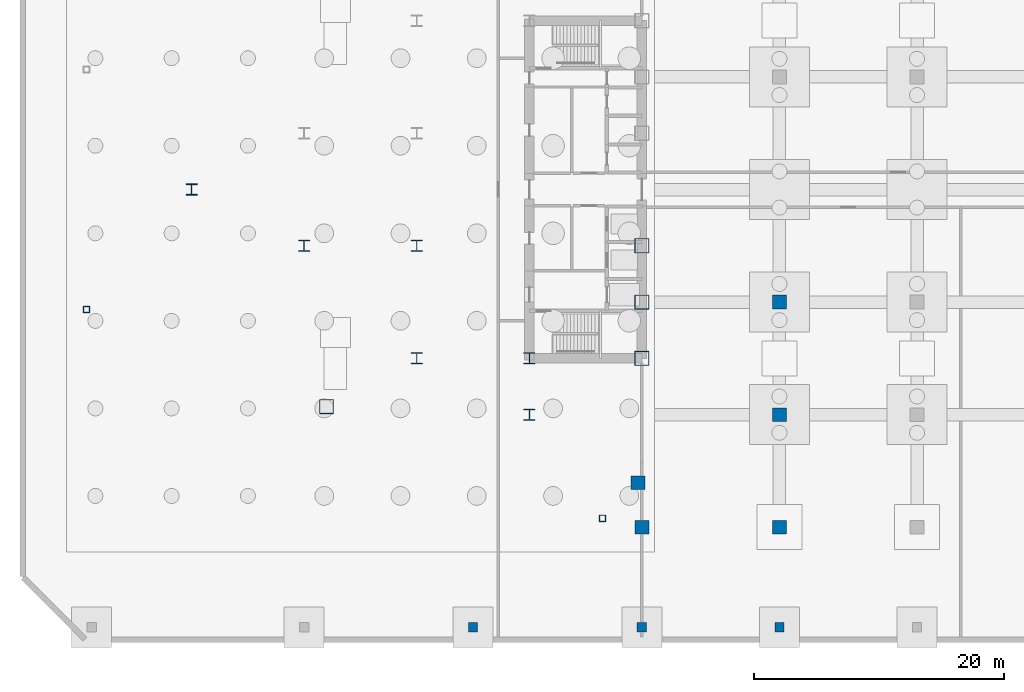
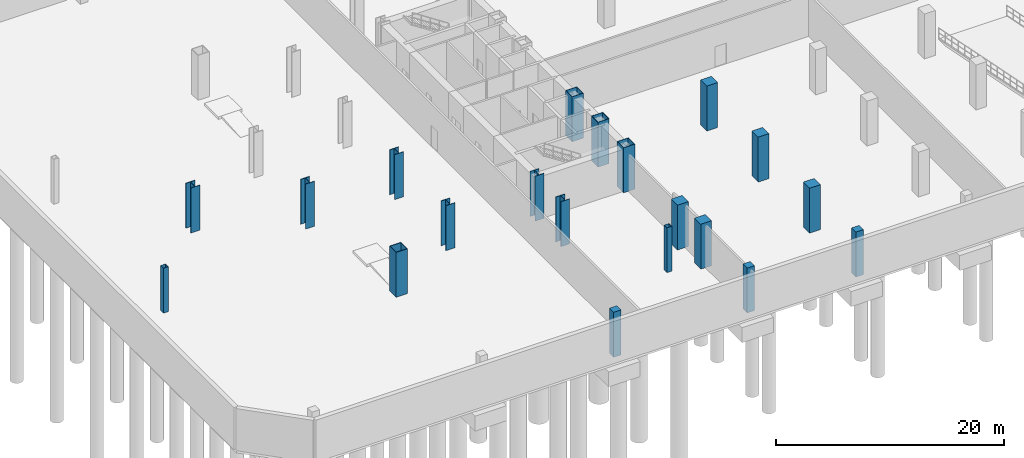
# One storey, part 3 of 18: 20 columns.
"""IFC4 building model written with IfcOpenShell, lengths in metres."""

from ifc_helpers import new_model, si_unit, direction, frame, origin, origin_2d, place, context, subcontext, project, spatial, rectangle, hollow_rectangle, i_section, extrude, source, transform, mapped, material, material_profile, profile_set, type_object, type_shapes, element, save


model = new_model("IFC4")

# Units and contexts
model_context = context("Model", 3, precision=1e-05, world=origin(), true_north=direction((0.0, 1.0)))
body_context = subcontext(model_context, "Body", "Model", "MODEL_VIEW")
ifc_project = project(units=[si_unit("LENGTHUNIT", "METRE"), si_unit("AREAUNIT", "SQUARE_METRE"), si_unit("VOLUMEUNIT", "CUBIC_METRE"), si_unit("PLANEANGLEUNIT", "RADIAN"), si_unit("MASSUNIT", "GRAM", prefix="KILO")], contexts=[model_context])

# Site, building, storey
site_placement = place(None, origin())
site = spatial("IfcSite", under=ifc_project, at=site_placement, CompositionType="ELEMENT")
building_placement = place(site_placement, origin())
building = spatial("IfcBuilding", under=site, at=building_placement, Name="Seokmaru Belvedere", CompositionType="ELEMENT")
storey_placement = place(building_placement, frame((0.0, 0.0, -9.60009765625)))
storey = spatial("IfcBuildingStorey", under=building, at=storey_placement, Name="B2", CompositionType="ELEMENT", Elevation=-9.60009765625)

# Columns
ifc_material_1 = material(Name="Steel HSA650 (650 MPa)", Category="steel")
ifc_material_profile_1 = material_profile(ifc_material_1, hollow_rectangle(XDim=1.14990234375, YDim=1.14990234375, WallThickness=0.048095703125, at=origin_2d()), Name="BOX-1150x1150x48")
ifc_profile_set_1 = profile_set([ifc_material_profile_1], Name="Steel HSA650 (650 MPa)")
column_type_1 = type_object("IfcColumnType", Name="Portal Spine Column BOX-1150", PredefinedType="COLUMN", material=ifc_profile_set_1)
shared_shape_1 = source(origin(), body_context, "Body", "SweptSolid", [
    extrude(hollow_rectangle(XDim=1.14990234375, YDim=1.14990234375, WallThickness=0.048095703125, at=origin_2d()), origin(), (0.0, 0.0, 1.0), 4.800048828125),
])
type_shapes(column_type_1, [shared_shape_1])
for number, where, z_axis, x_axis, name in (
    (1, (-27.5, -13.5, 0.0), (0.0, 0.0, 1.0), (1.0, 0.0, 0.0), "B2 Column WS1"),
    (2, (-27.5, -9.0, 0.0), (0.0, 0.0, 1.0), (1.0, 0.0, 0.0), "B2 Column WS2"),
    (3, (-27.5, -4.5, 0.0), (0.0, 0.0, 1.0), (1.0, 0.0, 0.0), "B2 Column WS3"),
    (4, (-52.715576171875, -17.360595703125, 0.0), (0.0, 0.0, 1.0), (1.0, 0.0, 0.0), "B2 Column WFLK_S2"),
):
    element("IfcColumn", number, at=place(storey_placement, frame(where, z_axis=z_axis, x_axis=x_axis)), inside=storey, type_object=column_type_1, Name=name, PredefinedType="COLUMN", context=body_context, shape_type="MappedRepresentation", body=[
        mapped(shared_shape_1, transform((0.0, 0.0, 0.0), scale=1.0)),
    ])
ifc_material_2 = material(Name="Concrete C60 (60 MPa)", Category="concrete")
ifc_material_profile_2 = material_profile(ifc_material_2, rectangle(XDim=1.10009765625, YDim=1.10009765625, at=origin_2d()), Name="RC-1100x1100")
ifc_profile_set_2 = profile_set([ifc_material_profile_2], Name="Concrete C60 (60 MPa)")
column_type_2 = type_object("IfcColumnType", Name="Basement Substructure Column RC-1100", PredefinedType="COLUMN", material=ifc_profile_set_2)
shared_shape_2 = source(origin(), body_context, "Body", "SweptSolid", [
    extrude(rectangle(XDim=1.10009765625, YDim=1.10009765625, at=origin_2d()), origin(), (0.0, 0.0, 1.0), 4.800048828125),
])
type_shapes(column_type_2, [shared_shape_2])
for number, where, z_axis, x_axis, name in (
    (5, (-27.5, -27.0, 0.0), (0.0, 0.0, 1.0), (1.0, 0.0, 0.0), "B2 Column WPS1"),
    (6, (-27.800048828125, -23.451416015625, 0.0), (0.0, 0.0, 1.0), (1.0, 0.0, 0.0), "B2 Column WPM_S"),
    (7, (-16.5, -27.0, 0.0), (0.0, 0.0, 1.0), (1.0, 0.0, 0.0), "B2 Column CP1_1"),
    (8, (-16.5, -18.0, 0.0), (0.0, 0.0, 1.0), (1.0, 0.0, 0.0), "B2 Column CP1_2"),
    (9, (-16.5, -9.0, 0.0), (0.0, 0.0, 1.0), (1.0, 0.0, 0.0), "B2 Column CP1_3"),
):
    element("IfcColumn", number, at=place(storey_placement, frame(where, z_axis=z_axis, x_axis=x_axis)), inside=storey, type_object=column_type_2, Name=name, PredefinedType="COLUMN", context=body_context, shape_type="MappedRepresentation", body=[
        mapped(shared_shape_2, transform((0.0, 0.0, 0.0), scale=1.0)),
    ])
ifc_material_profile_3 = material_profile(ifc_material_1, i_section(OverallWidth=0.89990234375, OverallDepth=0.89990234375, WebThickness=0.035888671875, FlangeThickness=0.054931640625, at=origin_2d()), Name="H-900x900x36x55")
ifc_profile_set_3 = profile_set([ifc_material_profile_3], Name="Steel HSA650 (650 MPa)")
column_type_3 = type_object("IfcColumnType", Name="Lower Interior Column H-900", PredefinedType="COLUMN", material=ifc_profile_set_3)
shared_shape_3 = source(origin(), body_context, "Body", "SweptSolid", [
    extrude(i_section(OverallWidth=0.89990234375, OverallDepth=0.89990234375, WebThickness=0.035888671875, FlangeThickness=0.054931640625, at=origin_2d()), origin(), (0.0, 0.0, 1.0), 4.800048828125),
])
type_shapes(column_type_3, [shared_shape_3])
for number, where, z_axis, x_axis, name in (
    (10, (-36.5, -18.0, 0.0), (0.0, 0.0, 1.0), (1.0, 0.0, 0.0), "B2 Column WC1"),
    (11, (-36.5, -13.5, 0.0), (0.0, 0.0, 1.0), (1.0, 0.0, 0.0), "B2 Column WC2"),
    (12, (-45.5, -13.5, 0.0), (0.0, 0.0, 1.0), (1.0, 0.0, 0.0), "B2 Column WG5_1"),
    (13, (-45.5, -4.5, 0.0), (0.0, 0.0, 1.0), (1.0, 0.0, 0.0), "B2 Column WG5_2"),
    (14, (-54.5, -4.5, 0.0), (0.0, 0.0, 1.0), (1.0, 0.0, 0.0), "B2 Column WG4P_1"),
    (15, (-63.5, 0.0, 0.0), (0.0, 0.0, 1.0), (1.0, 0.0, 0.0), "B2 Column WG3P_1"),
):
    element("IfcColumn", number, at=place(storey_placement, frame(where, z_axis=z_axis, x_axis=x_axis)), inside=storey, type_object=column_type_3, Name=name, PredefinedType="COLUMN", context=body_context, shape_type="MappedRepresentation", body=[
        mapped(shared_shape_3, transform((0.0, 0.0, 0.0), scale=1.0)),
    ])
ifc_material_3 = material(Name="Steel SM355 (355 MPa)", Category="steel")
ifc_material_profile_4 = material_profile(ifc_material_3, hollow_rectangle(XDim=0.5, YDim=0.5, WallThickness=0.02001953125, at=origin_2d()), Name="HSS-500x500x20")
ifc_profile_set_4 = profile_set([ifc_material_profile_4], Name="Steel SM355 (355 MPa)")
column_type_4 = type_object("IfcColumnType", Name="Perimeter Facet Column HSS-500", PredefinedType="COLUMN", material=ifc_profile_set_4)
shared_shape_4 = source(origin(), body_context, "Body", "SweptSolid", [
    extrude(hollow_rectangle(XDim=0.5, YDim=0.5, WallThickness=0.02001953125, at=origin_2d()), origin(), (0.0, 0.0, 1.0), 4.800048828125),
])
type_shapes(column_type_4, [shared_shape_4])
for number, where, z_axis, x_axis, name in (
    (16, (-71.89990234375, -9.595703125, 0.0), (0.0, 0.0, 1.0), (1.0, 0.0, 0.0), "B2 Column WF5"),
    (17, (-30.643310546875, -26.294677734375, 0.0), (0.0, 0.0, 1.0), (1.0, 0.0, 0.0), "B2 Column WF6"),
):
    element("IfcColumn", number, at=place(storey_placement, frame(where, z_axis=z_axis, x_axis=x_axis)), inside=storey, type_object=column_type_4, Name=name, PredefinedType="COLUMN", context=body_context, shape_type="MappedRepresentation", body=[
        mapped(shared_shape_4, transform((0.0, 0.0, 0.0), scale=1.0)),
    ])
ifc_material_4 = material(Name="Concrete C50 (50 MPa)", Category="concrete")
ifc_material_profile_5 = material_profile(ifc_material_4, rectangle(XDim=0.75, YDim=0.75, at=origin_2d()), Name="RC-750x750")
ifc_profile_set_5 = profile_set([ifc_material_profile_5], Name="Concrete C50 (50 MPa)")
column_type_5 = type_object("IfcColumnType", Name="Plaza Substructure Pier Column RC-750", PredefinedType="COLUMN", material=ifc_profile_set_5)
shared_shape_5 = source(origin(), body_context, "Body", "SweptSolid", [
    extrude(rectangle(XDim=0.75, YDim=0.75, at=origin_2d()), origin(), (0.0, 0.0, 1.0), 4.800048828125),
])
type_shapes(column_type_5, [shared_shape_5])
for number, where, z_axis, x_axis, name in (
    (18, (-41.0, -35.0, 0.0), (0.0, 0.0, 1.0), (1.0, 0.0, 0.0), "B2 Column PLZ_S3"),
    (19, (-27.5, -35.0, 0.0), (0.0, 0.0, 1.0), (1.0, 0.0, 0.0), "B2 Column PLZ_S4"),
    (20, (-16.5, -35.0, 0.0), (0.0, 0.0, 1.0), (1.0, 0.0, 0.0), "B2 Column PLZ_S5"),
):
    element("IfcColumn", number, at=place(storey_placement, frame(where, z_axis=z_axis, x_axis=x_axis)), inside=storey, type_object=column_type_5, Name=name, PredefinedType="COLUMN", context=body_context, shape_type="MappedRepresentation", body=[
        mapped(shared_shape_5, transform((0.0, 0.0, 0.0), scale=1.0)),
    ])

save(model, "model.ifc")
